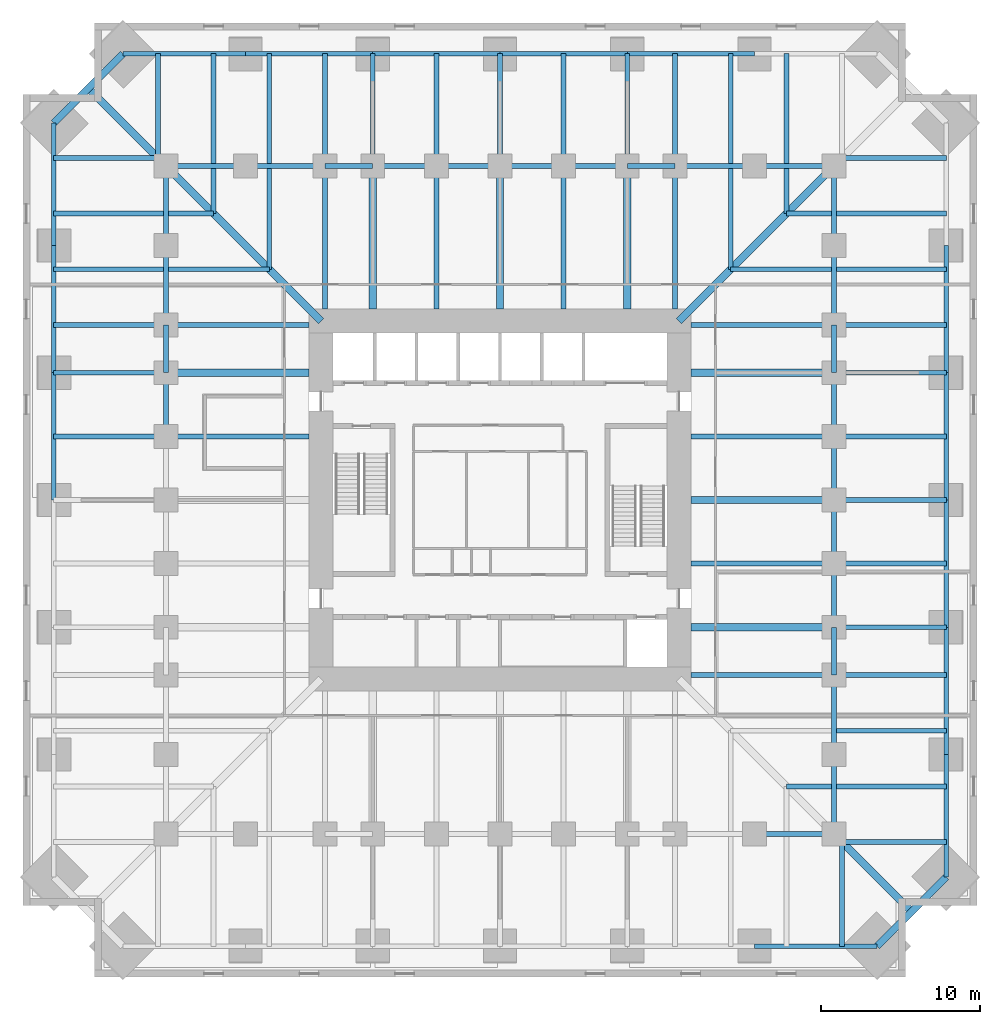
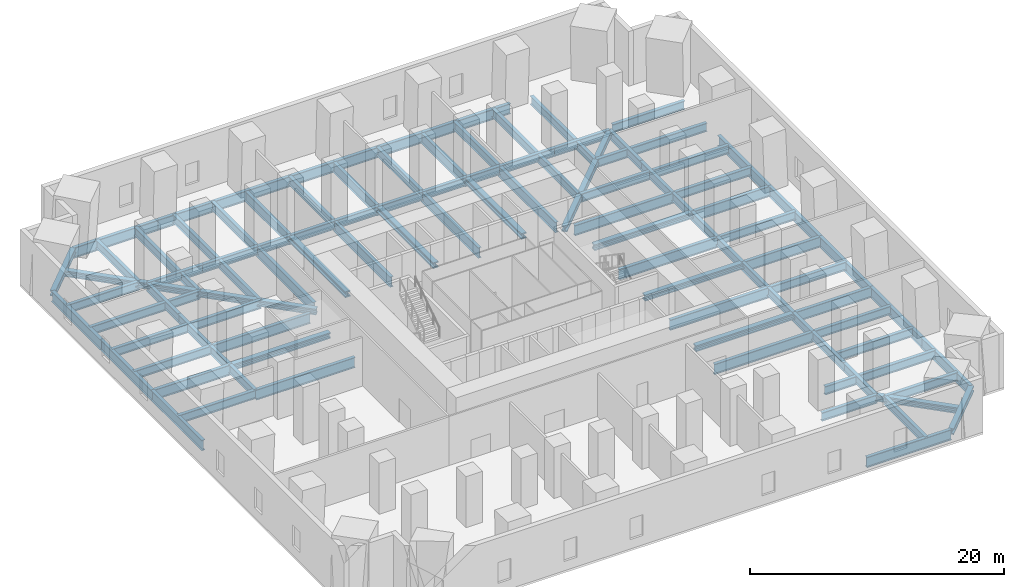
# One storey, part 2 of 8: 103 beams.
"""IFC4 building model written with IfcOpenShell, lengths in metres."""

from ifc_helpers import new_model, si_unit, direction, frame, origin, origin_2d, place, context, subcontext, project, spatial, i_section, extrude, material, material_profile, profile_set, type_object, element, save


model = new_model("IFC4")

# Units and contexts
model_context = context("Model", 3, precision=1e-05, world=origin(), true_north=direction((0.0, 1.0)))
body_context = subcontext(model_context, "Body", "Model", "MODEL_VIEW")
ifc_project = project(units=[si_unit("LENGTHUNIT", "METRE"), si_unit("AREAUNIT", "SQUARE_METRE"), si_unit("VOLUMEUNIT", "CUBIC_METRE"), si_unit("PLANEANGLEUNIT", "RADIAN"), si_unit("MASSUNIT", "GRAM", prefix="KILO")], contexts=[model_context])

# Site, building, storey
site_placement = place(None, origin())
site = spatial("IfcSite", under=ifc_project, at=site_placement, CompositionType="ELEMENT")
building_placement = place(site_placement, origin())
building = spatial("IfcBuilding", under=site, at=building_placement, Name="Peilmerk Tower", CompositionType="ELEMENT")
storey_placement = place(building_placement, frame((0.0, 0.0, 70.5)))
storey = spatial("IfcBuildingStorey", under=building, at=storey_placement, Name="L13", CompositionType="ELEMENT", Elevation=70.5)

# Beams
ifc_material_1 = material(Name="Steel S355", Category="steel")
ifc_material_profile_1 = material_profile(ifc_material_1, i_section(OverallWidth=0.302001953125, OverallDepth=1.008056640625, WebThickness=0.02099609375, FlangeThickness=0.0400390625, at=origin_2d()), Name="HEM 1000")
ifc_profile_set_1 = profile_set([ifc_material_profile_1], Name="Steel S355")
beam_type_1 = type_object("IfcBeamType", Name="B1 HEM 1000 edge beam", PredefinedType="SPANDREL", material=ifc_profile_set_1)
for number, where, z_axis, x_axis, name in (
    (1, (-16.0, 28.053955078125, -0.7041015625), (-1.0, 0.0, 0.0), (0.0, -1.0, 0.0), "Edge beam L13"),
    (2, (28.053955078125, -23.7041015625, -0.7041015625), (0.0, 1.0, 0.0), (-1.0, 0.0, 0.0), "Edge beam L13"),
    (3, (16.0, -28.053955078125, -0.7041015625), (1.0, 0.0, 0.0), (0.0, 1.0, 0.0), "Edge beam L13"),
    (4, (-28.053955078125, 23.7041015625, -0.7041015625), (0.0, -1.0, 0.0), (1.0, 0.0, 0.0), "Edge beam L13"),
):
    element("IfcBeam", number, at=place(storey_placement, frame(where, z_axis=z_axis, x_axis=x_axis)), inside=storey, type_object=beam_type_1, Name=name, PredefinedType="SPANDREL", context=body_context, shape_type="SweptSolid", body=[
        extrude(i_section(OverallWidth=0.302001953125, OverallDepth=1.008056640625, WebThickness=0.02099609375, FlangeThickness=0.0400390625, at=origin_2d()), origin(), (0.0, 0.0, 1.0), 7.7041015625),
    ])
ifc_material_profile_2 = material_profile(ifc_material_1, i_section(OverallWidth=0.300048828125, OverallDepth=1.0, WebThickness=0.01904296875, FlangeThickness=0.035888671875, at=origin_2d()), Name="HEB 1000")
ifc_profile_set_2 = profile_set([ifc_material_profile_2], Name="Steel S355")
beam_type_2 = type_object("IfcBeamType", Name="B13 HEB 1000 edge beam", PredefinedType="SPANDREL", material=ifc_profile_set_2)
for number, where, z_axis, x_axis, name in (
    (5, (16.0, 28.053955078125, -0.699951171875), (-1.0, 0.0, 0.0), (0.0, -1.0, 0.0), "Edge beam L13"),
    (6, (8.0, 28.053955078125, -0.699951171875), (-1.0, 0.0, 0.0), (0.0, -1.0, 0.0), "Edge beam L13"),
    (7, (0.0, 28.053955078125, -0.699951171875), (-1.0, 0.0, 0.0), (0.0, -1.0, 0.0), "Edge beam L13"),
    (8, (-8.0, 28.053955078125, -0.699951171875), (-1.0, 0.0, 0.0), (0.0, -1.0, 0.0), "Edge beam L13"),
    (9, (28.053955078125, -16.0, -0.699951171875), (0.0, 1.0, 0.0), (-1.0, 0.0, 0.0), "Edge beam L13"),
    (10, (28.053955078125, -8.0, -0.699951171875), (0.0, 1.0, 0.0), (-1.0, 0.0, 0.0), "Edge beam L13"),
    (11, (28.053955078125, 0.0, -0.699951171875), (0.0, 1.0, 0.0), (-1.0, 0.0, 0.0), "Edge beam L13"),
    (12, (28.053955078125, 8.0, -0.699951171875), (0.0, 1.0, 0.0), (-1.0, 0.0, 0.0), "Edge beam L13"),
    (13, (-28.053955078125, 16.0, -0.699951171875), (0.0, -1.0, 0.0), (1.0, 0.0, 0.0), "Edge beam L13"),
    (14, (-28.053955078125, 8.0, -0.699951171875), (0.0, -1.0, 0.0), (1.0, 0.0, 0.0), "Edge beam L13"),
):
    element("IfcBeam", number, at=place(storey_placement, frame(where, z_axis=z_axis, x_axis=x_axis)), inside=storey, type_object=beam_type_2, Name=name, PredefinedType="SPANDREL", context=body_context, shape_type="SweptSolid", body=[
        extrude(i_section(OverallWidth=0.300048828125, OverallDepth=1.0, WebThickness=0.01904296875, FlangeThickness=0.035888671875, at=origin_2d()), origin(), (0.0, 0.0, 1.0), 8.0),
    ])
ifc_material_profile_3 = material_profile(ifc_material_1, i_section(OverallWidth=0.300048828125, OverallDepth=0.989990234375, WebThickness=0.0166015625, FlangeThickness=0.031005859375, at=origin_2d()), Name="HEA 1000")
ifc_profile_set_3 = profile_set([ifc_material_profile_3], Name="Steel S355")
beam_type_3 = type_object("IfcBeamType", Name="B14 HEA 1000 floor girder", PredefinedType="BEAM", material=ifc_profile_set_3)
for number, where, z_axis, x_axis, name in (
    (15, (8.0, 21.0, -0.695068359375), (0.0, 1.0, 0.0), (-1.0, 0.0, 0.0), "Floor girder L13"),
    (16, (0.0, 21.0, -0.695068359375), (0.0, 1.0, 0.0), (-1.0, 0.0, 0.0), "Floor girder L13"),
    (17, (-8.0, 21.0, -0.695068359375), (0.0, 1.0, 0.0), (-1.0, 0.0, 0.0), "Floor girder L13"),
    (18, (21.0, -8.0, -0.695068359375), (1.0, 0.0, 0.0), (0.0, 1.0, 0.0), "Floor girder L13"),
    (19, (21.0, 0.0, -0.695068359375), (1.0, 0.0, 0.0), (0.0, 1.0, 0.0), "Floor girder L13"),
    (20, (21.0, 8.0, -0.695068359375), (1.0, 0.0, 0.0), (0.0, 1.0, 0.0), "Floor girder L13"),
    (21, (-21.0, 8.0, -0.695068359375), (-1.0, 0.0, 0.0), (0.0, -1.0, 0.0), "Floor girder L13"),
):
    element("IfcBeam", number, at=place(storey_placement, frame(where, z_axis=z_axis, x_axis=x_axis)), inside=storey, type_object=beam_type_3, Name=name, PredefinedType="BEAM", context=body_context, shape_type="SweptSolid", body=[
        extrude(i_section(OverallWidth=0.300048828125, OverallDepth=0.989990234375, WebThickness=0.0166015625, FlangeThickness=0.031005859375, at=origin_2d()), origin(), (0.0, 0.0, 1.0), 7.053955078125),
    ])
ifc_material_2 = material(Name="Steel S460", Category="steel")
ifc_material_profile_4 = material_profile(ifc_material_2, i_section(OverallWidth=0.4541015625, OverallDepth=0.569091796875, WebThickness=0.077880859375, FlangeThickness=0.125, at=origin_2d()), Name="HD 400x1086")
ifc_profile_set_4 = profile_set([ifc_material_profile_4], Name="Steel S460")
beam_type_4 = type_object("IfcBeamType", Name="B17 HD 400x1086 edge beam", PredefinedType="SPANDREL", material=ifc_profile_set_4)
for number, where, z_axis, x_axis, name in (
    (22, (28.053955078125, -23.7041015625, -0.484619140625), (-0.707106781187, -0.707106781187, 0.0), (0.707106781187, -0.707106781187, 0.0), "Notch beam L13"),
    (23, (-28.053955078125, 23.7041015625, -0.484619140625), (0.707106781187, 0.707106781187, 0.0), (-0.707106781187, 0.707106781187, 0.0), "Notch beam L13"),
):
    element("IfcBeam", number, at=place(storey_placement, frame(where, z_axis=z_axis, x_axis=x_axis)), inside=storey, type_object=beam_type_4, Name=name, PredefinedType="SPANDREL", context=body_context, shape_type="SweptSolid", body=[
        extrude(i_section(OverallWidth=0.4541015625, OverallDepth=0.569091796875, WebThickness=0.077880859375, FlangeThickness=0.125, at=origin_2d()), origin(), (0.0, 0.0, 1.0), 6.151611328125),
    ])
ifc_material_profile_5 = material_profile(ifc_material_1, i_section(OverallWidth=0.4541015625, OverallDepth=0.569091796875, WebThickness=0.077880859375, FlangeThickness=0.125, at=origin_2d()), Name="HD 400x1086")
ifc_profile_set_5 = profile_set([ifc_material_profile_5], Name="Steel S355")
beam_type_5 = type_object("IfcBeamType", Name="B22 HD 400x1086 floor girder", PredefinedType="BEAM", material=ifc_profile_set_5)
for number, where, z_axis, x_axis, name in (
    (24, (21.0, -21.0, -0.484619140625), (0.707106781187, -0.707106781187, 0.0), (0.707106781187, 0.707106781187, 0.0), "Corner girder L13"),
    (25, (-21.0, 21.0, -0.484619140625), (-0.707106781187, 0.707106781187, 0.0), (-0.707106781187, -0.707106781187, 0.0), "Corner girder L13"),
):
    element("IfcBeam", number, at=place(storey_placement, frame(where, z_axis=z_axis, x_axis=x_axis)), inside=storey, type_object=beam_type_5, Name=name, PredefinedType="BEAM", context=body_context, shape_type="SweptSolid", body=[
        extrude(i_section(OverallWidth=0.4541015625, OverallDepth=0.569091796875, WebThickness=0.077880859375, FlangeThickness=0.125, at=origin_2d()), origin(), (0.0, 0.0, 1.0), 6.900146484375),
    ])
ifc_material_profile_6 = material_profile(ifc_material_2, i_section(OverallWidth=0.302978515625, OverallDepth=0.81396484375, WebThickness=0.02099609375, FlangeThickness=0.0400390625, at=origin_2d()), Name="HEM 800")
ifc_profile_set_6 = profile_set([ifc_material_profile_6], Name="Steel S460")
beam_type_6 = type_object("IfcBeamType", Name="B26 HEM 800 floor beam", PredefinedType="BEAM", material=ifc_profile_set_6)
for number, where, z_axis, x_axis, name in (
    (26, (11.0, 21.0, -0.60693359375), (0.0, 1.0, 0.0), (-1.0, 0.0, 0.0), "Floor beam L13"),
    (27, (4.0, 21.0, -0.60693359375), (0.0, 1.0, 0.0), (-1.0, 0.0, 0.0), "Floor beam L13"),
    (28, (-4.0, 21.0, -0.60693359375), (0.0, 1.0, 0.0), (-1.0, 0.0, 0.0), "Floor beam L13"),
    (29, (-11.0, 21.0, -0.60693359375), (0.0, 1.0, 0.0), (-1.0, 0.0, 0.0), "Floor beam L13"),
):
    element("IfcBeam", number, at=place(storey_placement, frame(where, z_axis=z_axis, x_axis=x_axis)), inside=storey, type_object=beam_type_6, Name=name, PredefinedType="BEAM", context=body_context, shape_type="SweptSolid", body=[
        extrude(i_section(OverallWidth=0.302978515625, OverallDepth=0.81396484375, WebThickness=0.02099609375, FlangeThickness=0.0400390625, at=origin_2d()), origin(), (0.0, 0.0, 1.0), 7.053955078125),
    ])
for number, where, z_axis, x_axis, name in (
    (30, (21.0, 21.0, -0.60693359375), (-1.0, 0.0, 0.0), (0.0, -1.0, 0.0), "Ring girder L13"),
    (31, (16.0, 21.0, -0.60693359375), (-1.0, 0.0, 0.0), (0.0, -1.0, 0.0), "Ring girder L13"),
):
    element("IfcBeam", number, at=place(storey_placement, frame(where, z_axis=z_axis, x_axis=x_axis)), inside=storey, type_object=beam_type_6, Name=name, PredefinedType="BEAM", context=body_context, shape_type="SweptSolid", body=[
        extrude(i_section(OverallWidth=0.302978515625, OverallDepth=0.81396484375, WebThickness=0.02099609375, FlangeThickness=0.0400390625, at=origin_2d()), origin(), (0.0, 0.0, 1.0), 5.0),
    ])
beam_1_placement = place(storey_placement, frame((11.0, 21.0, -0.60693359375), z_axis=(-1.0, 0.0, 0.0), x_axis=(0.0, -1.0, 0.0)))
element("IfcBeam", 32, at=beam_1_placement, inside=storey, type_object=beam_type_6, Name="Ring girder L13", PredefinedType="BEAM", context=body_context, shape_type="SweptSolid", body=[
    extrude(i_section(OverallWidth=0.302978515625, OverallDepth=0.81396484375, WebThickness=0.02099609375, FlangeThickness=0.0400390625, at=origin_2d()), origin(), (0.0, 0.0, 1.0), 3.0),
])
for number, where, z_axis, x_axis, name in (
    (33, (8.0, 21.0, -0.60693359375), (-1.0, 0.0, 0.0), (0.0, -1.0, 0.0), "Ring girder L13"),
    (34, (4.0, 21.0, -0.60693359375), (-1.0, 0.0, 0.0), (0.0, -1.0, 0.0), "Ring girder L13"),
    (35, (0.0, 21.0, -0.60693359375), (-1.0, 0.0, 0.0), (0.0, -1.0, 0.0), "Ring girder L13"),
    (36, (-4.0, 21.0, -0.60693359375), (-1.0, 0.0, 0.0), (0.0, -1.0, 0.0), "Ring girder L13"),
):
    element("IfcBeam", number, at=place(storey_placement, frame(where, z_axis=z_axis, x_axis=x_axis)), inside=storey, type_object=beam_type_6, Name=name, PredefinedType="BEAM", context=body_context, shape_type="SweptSolid", body=[
        extrude(i_section(OverallWidth=0.302978515625, OverallDepth=0.81396484375, WebThickness=0.02099609375, FlangeThickness=0.0400390625, at=origin_2d()), origin(), (0.0, 0.0, 1.0), 4.0),
    ])
beam_2_placement = place(storey_placement, frame((-8.0, 21.0, -0.60693359375), z_axis=(-1.0, 0.0, 0.0), x_axis=(0.0, -1.0, 0.0)))
element("IfcBeam", 37, at=beam_2_placement, inside=storey, type_object=beam_type_6, Name="Ring girder L13", PredefinedType="BEAM", context=body_context, shape_type="SweptSolid", body=[
    extrude(i_section(OverallWidth=0.302978515625, OverallDepth=0.81396484375, WebThickness=0.02099609375, FlangeThickness=0.0400390625, at=origin_2d()), origin(), (0.0, 0.0, 1.0), 3.0),
])
for number, where, z_axis, x_axis, name in (
    (38, (-11.0, 21.0, -0.60693359375), (-1.0, 0.0, 0.0), (0.0, -1.0, 0.0), "Ring girder L13"),
    (39, (-16.0, 21.0, -0.60693359375), (-1.0, 0.0, 0.0), (0.0, -1.0, 0.0), "Ring girder L13"),
):
    element("IfcBeam", number, at=place(storey_placement, frame(where, z_axis=z_axis, x_axis=x_axis)), inside=storey, type_object=beam_type_6, Name=name, PredefinedType="BEAM", context=body_context, shape_type="SweptSolid", body=[
        extrude(i_section(OverallWidth=0.302978515625, OverallDepth=0.81396484375, WebThickness=0.02099609375, FlangeThickness=0.0400390625, at=origin_2d()), origin(), (0.0, 0.0, 1.0), 5.0),
    ])
for number, where, z_axis, x_axis, name in (
    (40, (21.0, -11.0, -0.60693359375), (1.0, 0.0, 0.0), (0.0, 1.0, 0.0), "Floor beam L13"),
    (41, (21.0, -4.0, -0.60693359375), (1.0, 0.0, 0.0), (0.0, 1.0, 0.0), "Floor beam L13"),
    (42, (21.0, 4.0, -0.60693359375), (1.0, 0.0, 0.0), (0.0, 1.0, 0.0), "Floor beam L13"),
    (43, (21.0, 11.0, -0.60693359375), (1.0, 0.0, 0.0), (0.0, 1.0, 0.0), "Floor beam L13"),
):
    element("IfcBeam", number, at=place(storey_placement, frame(where, z_axis=z_axis, x_axis=x_axis)), inside=storey, type_object=beam_type_6, Name=name, PredefinedType="BEAM", context=body_context, shape_type="SweptSolid", body=[
        extrude(i_section(OverallWidth=0.302978515625, OverallDepth=0.81396484375, WebThickness=0.02099609375, FlangeThickness=0.0400390625, at=origin_2d()), origin(), (0.0, 0.0, 1.0), 7.053955078125),
    ])
for number, where, z_axis, x_axis, name in (
    (44, (21.0, -21.0, -0.60693359375), (0.0, 1.0, 0.0), (-1.0, 0.0, 0.0), "Ring girder L13"),
    (45, (21.0, -16.0, -0.60693359375), (0.0, 1.0, 0.0), (-1.0, 0.0, 0.0), "Ring girder L13"),
):
    element("IfcBeam", number, at=place(storey_placement, frame(where, z_axis=z_axis, x_axis=x_axis)), inside=storey, type_object=beam_type_6, Name=name, PredefinedType="BEAM", context=body_context, shape_type="SweptSolid", body=[
        extrude(i_section(OverallWidth=0.302978515625, OverallDepth=0.81396484375, WebThickness=0.02099609375, FlangeThickness=0.0400390625, at=origin_2d()), origin(), (0.0, 0.0, 1.0), 5.0),
    ])
beam_3_placement = place(storey_placement, frame((21.0, -11.0, -0.60693359375), z_axis=(0.0, 1.0, 0.0), x_axis=(-1.0, 0.0, 0.0)))
element("IfcBeam", 46, at=beam_3_placement, inside=storey, type_object=beam_type_6, Name="Ring girder L13", PredefinedType="BEAM", context=body_context, shape_type="SweptSolid", body=[
    extrude(i_section(OverallWidth=0.302978515625, OverallDepth=0.81396484375, WebThickness=0.02099609375, FlangeThickness=0.0400390625, at=origin_2d()), origin(), (0.0, 0.0, 1.0), 3.0),
])
for number, where, z_axis, x_axis, name in (
    (47, (21.0, -8.0, -0.60693359375), (0.0, 1.0, 0.0), (-1.0, 0.0, 0.0), "Ring girder L13"),
    (48, (21.0, -4.0, -0.60693359375), (0.0, 1.0, 0.0), (-1.0, 0.0, 0.0), "Ring girder L13"),
    (49, (21.0, 0.0, -0.60693359375), (0.0, 1.0, 0.0), (-1.0, 0.0, 0.0), "Ring girder L13"),
    (50, (21.0, 4.0, -0.60693359375), (0.0, 1.0, 0.0), (-1.0, 0.0, 0.0), "Ring girder L13"),
):
    element("IfcBeam", number, at=place(storey_placement, frame(where, z_axis=z_axis, x_axis=x_axis)), inside=storey, type_object=beam_type_6, Name=name, PredefinedType="BEAM", context=body_context, shape_type="SweptSolid", body=[
        extrude(i_section(OverallWidth=0.302978515625, OverallDepth=0.81396484375, WebThickness=0.02099609375, FlangeThickness=0.0400390625, at=origin_2d()), origin(), (0.0, 0.0, 1.0), 4.0),
    ])
beam_4_placement = place(storey_placement, frame((21.0, 8.0, -0.60693359375), z_axis=(0.0, 1.0, 0.0), x_axis=(-1.0, 0.0, 0.0)))
element("IfcBeam", 51, at=beam_4_placement, inside=storey, type_object=beam_type_6, Name="Ring girder L13", PredefinedType="BEAM", context=body_context, shape_type="SweptSolid", body=[
    extrude(i_section(OverallWidth=0.302978515625, OverallDepth=0.81396484375, WebThickness=0.02099609375, FlangeThickness=0.0400390625, at=origin_2d()), origin(), (0.0, 0.0, 1.0), 3.0),
])
for number, where, z_axis, x_axis, name in (
    (52, (21.0, 11.0, -0.60693359375), (0.0, 1.0, 0.0), (-1.0, 0.0, 0.0), "Ring girder L13"),
    (53, (21.0, 16.0, -0.60693359375), (0.0, 1.0, 0.0), (-1.0, 0.0, 0.0), "Ring girder L13"),
    (54, (16.0, -21.0, -0.60693359375), (1.0, 0.0, 0.0), (0.0, 1.0, 0.0), "Ring girder L13"),
):
    element("IfcBeam", number, at=place(storey_placement, frame(where, z_axis=z_axis, x_axis=x_axis)), inside=storey, type_object=beam_type_6, Name=name, PredefinedType="BEAM", context=body_context, shape_type="SweptSolid", body=[
        extrude(i_section(OverallWidth=0.302978515625, OverallDepth=0.81396484375, WebThickness=0.02099609375, FlangeThickness=0.0400390625, at=origin_2d()), origin(), (0.0, 0.0, 1.0), 5.0),
    ])
for number, where, z_axis, x_axis, name in (
    (55, (-21.0, 11.0, -0.60693359375), (-1.0, 0.0, 0.0), (0.0, -1.0, 0.0), "Floor beam L13"),
    (56, (-21.0, 4.0, -0.60693359375), (-1.0, 0.0, 0.0), (0.0, -1.0, 0.0), "Floor beam L13"),
):
    element("IfcBeam", number, at=place(storey_placement, frame(where, z_axis=z_axis, x_axis=x_axis)), inside=storey, type_object=beam_type_6, Name=name, PredefinedType="BEAM", context=body_context, shape_type="SweptSolid", body=[
        extrude(i_section(OverallWidth=0.302978515625, OverallDepth=0.81396484375, WebThickness=0.02099609375, FlangeThickness=0.0400390625, at=origin_2d()), origin(), (0.0, 0.0, 1.0), 7.053955078125),
    ])
for number, where, z_axis, x_axis, name in (
    (57, (-21.0, 21.0, -0.60693359375), (0.0, -1.0, 0.0), (1.0, 0.0, 0.0), "Ring girder L13"),
    (58, (-21.0, 16.0, -0.60693359375), (0.0, -1.0, 0.0), (1.0, 0.0, 0.0), "Ring girder L13"),
):
    element("IfcBeam", number, at=place(storey_placement, frame(where, z_axis=z_axis, x_axis=x_axis)), inside=storey, type_object=beam_type_6, Name=name, PredefinedType="BEAM", context=body_context, shape_type="SweptSolid", body=[
        extrude(i_section(OverallWidth=0.302978515625, OverallDepth=0.81396484375, WebThickness=0.02099609375, FlangeThickness=0.0400390625, at=origin_2d()), origin(), (0.0, 0.0, 1.0), 5.0),
    ])
beam_5_placement = place(storey_placement, frame((-21.0, 11.0, -0.60693359375), z_axis=(0.0, -1.0, 0.0), x_axis=(1.0, 0.0, 0.0)))
element("IfcBeam", 59, at=beam_5_placement, inside=storey, type_object=beam_type_6, Name="Ring girder L13", PredefinedType="BEAM", context=body_context, shape_type="SweptSolid", body=[
    extrude(i_section(OverallWidth=0.302978515625, OverallDepth=0.81396484375, WebThickness=0.02099609375, FlangeThickness=0.0400390625, at=origin_2d()), origin(), (0.0, 0.0, 1.0), 3.0),
])
beam_6_placement = place(storey_placement, frame((-21.0, 8.0, -0.60693359375), z_axis=(0.0, -1.0, 0.0), x_axis=(1.0, 0.0, 0.0)))
element("IfcBeam", 60, at=beam_6_placement, inside=storey, type_object=beam_type_6, Name="Ring girder L13", PredefinedType="BEAM", context=body_context, shape_type="SweptSolid", body=[
    extrude(i_section(OverallWidth=0.302978515625, OverallDepth=0.81396484375, WebThickness=0.02099609375, FlangeThickness=0.0400390625, at=origin_2d()), origin(), (0.0, 0.0, 1.0), 4.0),
])
beam_7_placement = place(storey_placement, frame((14.5, 14.5, -0.60693359375), z_axis=(0.0, 1.0, 0.0), x_axis=(-1.0, 0.0, 0.0)))
element("IfcBeam", 61, at=beam_7_placement, inside=storey, type_object=beam_type_6, Name="Floor beam L13", PredefinedType="BEAM", context=body_context, shape_type="SweptSolid", body=[
    extrude(i_section(OverallWidth=0.302978515625, OverallDepth=0.81396484375, WebThickness=0.02099609375, FlangeThickness=0.0400390625, at=origin_2d()), origin(), (0.0, 0.0, 1.0), 6.348388671875),
])
beam_8_placement = place(storey_placement, frame((14.5, 21.151611328125, -0.60693359375), z_axis=(0.0, 1.0, 0.0), x_axis=(-1.0, 0.0, 0.0)))
element("IfcBeam", 62, at=beam_8_placement, inside=storey, type_object=beam_type_6, Name="Floor beam L13", PredefinedType="BEAM", context=body_context, shape_type="SweptSolid", body=[
    extrude(i_section(OverallWidth=0.302978515625, OverallDepth=0.81396484375, WebThickness=0.02099609375, FlangeThickness=0.0400390625, at=origin_2d()), origin(), (0.0, 0.0, 1.0), 6.90234375),
])
beam_9_placement = place(storey_placement, frame((14.5, 14.5, -0.60693359375), z_axis=(1.0, 0.0, 0.0), x_axis=(0.0, 1.0, 0.0)))
element("IfcBeam", 63, at=beam_9_placement, inside=storey, type_object=beam_type_6, Name="Floor beam L13", PredefinedType="BEAM", context=body_context, shape_type="SweptSolid", body=[
    extrude(i_section(OverallWidth=0.302978515625, OverallDepth=0.81396484375, WebThickness=0.02099609375, FlangeThickness=0.0400390625, at=origin_2d()), origin(), (0.0, 0.0, 1.0), 6.348388671875),
])
beam_10_placement = place(storey_placement, frame((21.151611328125, 14.5, -0.60693359375), z_axis=(1.0, 0.0, 0.0), x_axis=(0.0, 1.0, 0.0)))
element("IfcBeam", 64, at=beam_10_placement, inside=storey, type_object=beam_type_6, Name="Floor beam L13", PredefinedType="BEAM", context=body_context, shape_type="SweptSolid", body=[
    extrude(i_section(OverallWidth=0.302978515625, OverallDepth=0.81396484375, WebThickness=0.02099609375, FlangeThickness=0.0400390625, at=origin_2d()), origin(), (0.0, 0.0, 1.0), 6.90234375),
])
beam_11_placement = place(storey_placement, frame((18.0, 18.0, -0.60693359375), z_axis=(0.0, 1.0, 0.0), x_axis=(-1.0, 0.0, 0.0)))
element("IfcBeam", 65, at=beam_11_placement, inside=storey, type_object=beam_type_6, Name="Floor beam L13", PredefinedType="BEAM", context=body_context, shape_type="SweptSolid", body=[
    extrude(i_section(OverallWidth=0.302978515625, OverallDepth=0.81396484375, WebThickness=0.02099609375, FlangeThickness=0.0400390625, at=origin_2d()), origin(), (0.0, 0.0, 1.0), 2.848388671875),
])
beam_12_placement = place(storey_placement, frame((18.0, 21.151611328125, -0.60693359375), z_axis=(0.0, 1.0, 0.0), x_axis=(-1.0, 0.0, 0.0)))
element("IfcBeam", 66, at=beam_12_placement, inside=storey, type_object=beam_type_6, Name="Floor beam L13", PredefinedType="BEAM", context=body_context, shape_type="SweptSolid", body=[
    extrude(i_section(OverallWidth=0.302978515625, OverallDepth=0.81396484375, WebThickness=0.02099609375, FlangeThickness=0.0400390625, at=origin_2d()), origin(), (0.0, 0.0, 1.0), 6.90234375),
])
beam_13_placement = place(storey_placement, frame((18.0, 18.0, -0.60693359375), z_axis=(1.0, 0.0, 0.0), x_axis=(0.0, 1.0, 0.0)))
element("IfcBeam", 67, at=beam_13_placement, inside=storey, type_object=beam_type_6, Name="Floor beam L13", PredefinedType="BEAM", context=body_context, shape_type="SweptSolid", body=[
    extrude(i_section(OverallWidth=0.302978515625, OverallDepth=0.81396484375, WebThickness=0.02099609375, FlangeThickness=0.0400390625, at=origin_2d()), origin(), (0.0, 0.0, 1.0), 2.848388671875),
])
beam_14_placement = place(storey_placement, frame((21.151611328125, 18.0, -0.60693359375), z_axis=(1.0, 0.0, 0.0), x_axis=(0.0, 1.0, 0.0)))
element("IfcBeam", 68, at=beam_14_placement, inside=storey, type_object=beam_type_6, Name="Floor beam L13", PredefinedType="BEAM", context=body_context, shape_type="SweptSolid", body=[
    extrude(i_section(OverallWidth=0.302978515625, OverallDepth=0.81396484375, WebThickness=0.02099609375, FlangeThickness=0.0400390625, at=origin_2d()), origin(), (0.0, 0.0, 1.0), 6.90234375),
])
beam_15_placement = place(storey_placement, frame((21.5, 21.5, -0.60693359375), z_axis=(1.0, 0.0, 0.0), x_axis=(0.0, 1.0, 0.0)))
element("IfcBeam", 69, at=beam_15_placement, inside=storey, type_object=beam_type_6, Name="Floor beam L13", PredefinedType="BEAM", context=body_context, shape_type="SweptSolid", body=[
    extrude(i_section(OverallWidth=0.302978515625, OverallDepth=0.81396484375, WebThickness=0.02099609375, FlangeThickness=0.0400390625, at=origin_2d()), origin(), (0.0, 0.0, 1.0), 6.553955078125),
])
beam_16_placement = place(storey_placement, frame((21.151611328125, -14.5, -0.60693359375), z_axis=(1.0, 0.0, 0.0), x_axis=(0.0, 1.0, 0.0)))
element("IfcBeam", 70, at=beam_16_placement, inside=storey, type_object=beam_type_6, Name="Floor beam L13", PredefinedType="BEAM", context=body_context, shape_type="SweptSolid", body=[
    extrude(i_section(OverallWidth=0.302978515625, OverallDepth=0.81396484375, WebThickness=0.02099609375, FlangeThickness=0.0400390625, at=origin_2d()), origin(), (0.0, 0.0, 1.0), 6.90234375),
])
beam_17_placement = place(storey_placement, frame((18.0, -18.0, -0.60693359375), z_axis=(1.0, 0.0, 0.0), x_axis=(0.0, 1.0, 0.0)))
element("IfcBeam", 71, at=beam_17_placement, inside=storey, type_object=beam_type_6, Name="Floor beam L13", PredefinedType="BEAM", context=body_context, shape_type="SweptSolid", body=[
    extrude(i_section(OverallWidth=0.302978515625, OverallDepth=0.81396484375, WebThickness=0.02099609375, FlangeThickness=0.0400390625, at=origin_2d()), origin(), (0.0, 0.0, 1.0), 2.848388671875),
])
beam_18_placement = place(storey_placement, frame((21.151611328125, -18.0, -0.60693359375), z_axis=(1.0, 0.0, 0.0), x_axis=(0.0, 1.0, 0.0)))
element("IfcBeam", 72, at=beam_18_placement, inside=storey, type_object=beam_type_6, Name="Floor beam L13", PredefinedType="BEAM", context=body_context, shape_type="SweptSolid", body=[
    extrude(i_section(OverallWidth=0.302978515625, OverallDepth=0.81396484375, WebThickness=0.02099609375, FlangeThickness=0.0400390625, at=origin_2d()), origin(), (0.0, 0.0, 1.0), 6.90234375),
])
for number, where, z_axis, x_axis, name in (
    (73, (21.5, -21.5, -0.60693359375), (0.0, -1.0, 0.0), (1.0, 0.0, 0.0), "Floor beam L13"),
    (74, (21.5, -21.5, -0.60693359375), (1.0, 0.0, 0.0), (0.0, 1.0, 0.0), "Floor beam L13"),
):
    element("IfcBeam", number, at=place(storey_placement, frame(where, z_axis=z_axis, x_axis=x_axis)), inside=storey, type_object=beam_type_6, Name=name, PredefinedType="BEAM", context=body_context, shape_type="SweptSolid", body=[
        extrude(i_section(OverallWidth=0.302978515625, OverallDepth=0.81396484375, WebThickness=0.02099609375, FlangeThickness=0.0400390625, at=origin_2d()), origin(), (0.0, 0.0, 1.0), 6.553955078125),
    ])
beam_19_placement = place(storey_placement, frame((-14.5, 14.5, -0.60693359375), z_axis=(0.0, 1.0, 0.0), x_axis=(-1.0, 0.0, 0.0)))
element("IfcBeam", 75, at=beam_19_placement, inside=storey, type_object=beam_type_6, Name="Floor beam L13", PredefinedType="BEAM", context=body_context, shape_type="SweptSolid", body=[
    extrude(i_section(OverallWidth=0.302978515625, OverallDepth=0.81396484375, WebThickness=0.02099609375, FlangeThickness=0.0400390625, at=origin_2d()), origin(), (0.0, 0.0, 1.0), 6.348388671875),
])
beam_20_placement = place(storey_placement, frame((-14.5, 21.151611328125, -0.60693359375), z_axis=(0.0, 1.0, 0.0), x_axis=(-1.0, 0.0, 0.0)))
element("IfcBeam", 76, at=beam_20_placement, inside=storey, type_object=beam_type_6, Name="Floor beam L13", PredefinedType="BEAM", context=body_context, shape_type="SweptSolid", body=[
    extrude(i_section(OverallWidth=0.302978515625, OverallDepth=0.81396484375, WebThickness=0.02099609375, FlangeThickness=0.0400390625, at=origin_2d()), origin(), (0.0, 0.0, 1.0), 6.90234375),
])
beam_21_placement = place(storey_placement, frame((-14.5, 14.5, -0.60693359375), z_axis=(-1.0, 0.0, 0.0), x_axis=(0.0, -1.0, 0.0)))
element("IfcBeam", 77, at=beam_21_placement, inside=storey, type_object=beam_type_6, Name="Floor beam L13", PredefinedType="BEAM", context=body_context, shape_type="SweptSolid", body=[
    extrude(i_section(OverallWidth=0.302978515625, OverallDepth=0.81396484375, WebThickness=0.02099609375, FlangeThickness=0.0400390625, at=origin_2d()), origin(), (0.0, 0.0, 1.0), 6.348388671875),
])
beam_22_placement = place(storey_placement, frame((-21.151611328125, 14.5, -0.60693359375), z_axis=(-1.0, 0.0, 0.0), x_axis=(0.0, -1.0, 0.0)))
element("IfcBeam", 78, at=beam_22_placement, inside=storey, type_object=beam_type_6, Name="Floor beam L13", PredefinedType="BEAM", context=body_context, shape_type="SweptSolid", body=[
    extrude(i_section(OverallWidth=0.302978515625, OverallDepth=0.81396484375, WebThickness=0.02099609375, FlangeThickness=0.0400390625, at=origin_2d()), origin(), (0.0, 0.0, 1.0), 6.90234375),
])
beam_23_placement = place(storey_placement, frame((-18.0, 18.0, -0.60693359375), z_axis=(0.0, 1.0, 0.0), x_axis=(-1.0, 0.0, 0.0)))
element("IfcBeam", 79, at=beam_23_placement, inside=storey, type_object=beam_type_6, Name="Floor beam L13", PredefinedType="BEAM", context=body_context, shape_type="SweptSolid", body=[
    extrude(i_section(OverallWidth=0.302978515625, OverallDepth=0.81396484375, WebThickness=0.02099609375, FlangeThickness=0.0400390625, at=origin_2d()), origin(), (0.0, 0.0, 1.0), 2.848388671875),
])
beam_24_placement = place(storey_placement, frame((-18.0, 21.151611328125, -0.60693359375), z_axis=(0.0, 1.0, 0.0), x_axis=(-1.0, 0.0, 0.0)))
element("IfcBeam", 80, at=beam_24_placement, inside=storey, type_object=beam_type_6, Name="Floor beam L13", PredefinedType="BEAM", context=body_context, shape_type="SweptSolid", body=[
    extrude(i_section(OverallWidth=0.302978515625, OverallDepth=0.81396484375, WebThickness=0.02099609375, FlangeThickness=0.0400390625, at=origin_2d()), origin(), (0.0, 0.0, 1.0), 6.90234375),
])
beam_25_placement = place(storey_placement, frame((-18.0, 18.0, -0.60693359375), z_axis=(-1.0, 0.0, 0.0), x_axis=(0.0, -1.0, 0.0)))
element("IfcBeam", 81, at=beam_25_placement, inside=storey, type_object=beam_type_6, Name="Floor beam L13", PredefinedType="BEAM", context=body_context, shape_type="SweptSolid", body=[
    extrude(i_section(OverallWidth=0.302978515625, OverallDepth=0.81396484375, WebThickness=0.02099609375, FlangeThickness=0.0400390625, at=origin_2d()), origin(), (0.0, 0.0, 1.0), 2.848388671875),
])
beam_26_placement = place(storey_placement, frame((-21.151611328125, 18.0, -0.60693359375), z_axis=(-1.0, 0.0, 0.0), x_axis=(0.0, -1.0, 0.0)))
element("IfcBeam", 82, at=beam_26_placement, inside=storey, type_object=beam_type_6, Name="Floor beam L13", PredefinedType="BEAM", context=body_context, shape_type="SweptSolid", body=[
    extrude(i_section(OverallWidth=0.302978515625, OverallDepth=0.81396484375, WebThickness=0.02099609375, FlangeThickness=0.0400390625, at=origin_2d()), origin(), (0.0, 0.0, 1.0), 6.90234375),
])
for number, where, z_axis, x_axis, name in (
    (83, (-21.5, 21.5, -0.60693359375), (0.0, 1.0, 0.0), (-1.0, 0.0, 0.0), "Floor beam L13"),
    (84, (-21.5, 21.5, -0.60693359375), (-1.0, 0.0, 0.0), (0.0, -1.0, 0.0), "Floor beam L13"),
):
    element("IfcBeam", number, at=place(storey_placement, frame(where, z_axis=z_axis, x_axis=x_axis)), inside=storey, type_object=beam_type_6, Name=name, PredefinedType="BEAM", context=body_context, shape_type="SweptSolid", body=[
        extrude(i_section(OverallWidth=0.302978515625, OverallDepth=0.81396484375, WebThickness=0.02099609375, FlangeThickness=0.0400390625, at=origin_2d()), origin(), (0.0, 0.0, 1.0), 6.553955078125),
    ])
ifc_material_profile_7 = material_profile(ifc_material_1, i_section(OverallWidth=0.300048828125, OverallDepth=1.0, WebThickness=0.01904296875, FlangeThickness=0.035888671875, at=origin_2d()), Name="HEB 1000")
ifc_profile_set_7 = profile_set([ifc_material_profile_7], Name="Steel S355")
beam_type_7 = type_object("IfcBeamType", Name="B5 HEB 1000 floor girder", PredefinedType="BEAM", material=ifc_profile_set_7)
for number, where, z_axis, x_axis, name in (
    (85, (11.0, 12.0, -0.699951171875), (0.0, 1.0, 0.0), (-1.0, 0.0, 0.0), "Floor beam L13"),
    (86, (4.0, 12.0, -0.699951171875), (0.0, 1.0, 0.0), (-1.0, 0.0, 0.0), "Floor beam L13"),
    (87, (-4.0, 12.0, -0.699951171875), (0.0, 1.0, 0.0), (-1.0, 0.0, 0.0), "Floor beam L13"),
    (88, (-11.0, 12.0, -0.699951171875), (0.0, 1.0, 0.0), (-1.0, 0.0, 0.0), "Floor beam L13"),
    (89, (12.0, -11.0, -0.699951171875), (1.0, 0.0, 0.0), (0.0, 1.0, 0.0), "Floor beam L13"),
    (90, (12.0, -4.0, -0.699951171875), (1.0, 0.0, 0.0), (0.0, 1.0, 0.0), "Floor beam L13"),
    (91, (12.0, 4.0, -0.699951171875), (1.0, 0.0, 0.0), (0.0, 1.0, 0.0), "Floor beam L13"),
    (92, (12.0, 11.0, -0.699951171875), (1.0, 0.0, 0.0), (0.0, 1.0, 0.0), "Floor beam L13"),
    (93, (-12.0, 11.0, -0.699951171875), (-1.0, 0.0, 0.0), (0.0, -1.0, 0.0), "Floor beam L13"),
    (94, (-12.0, 4.0, -0.699951171875), (-1.0, 0.0, 0.0), (0.0, -1.0, 0.0), "Floor beam L13"),
):
    element("IfcBeam", number, at=place(storey_placement, frame(where, z_axis=z_axis, x_axis=x_axis)), inside=storey, type_object=beam_type_7, Name=name, PredefinedType="BEAM", context=body_context, shape_type="SweptSolid", body=[
        extrude(i_section(OverallWidth=0.300048828125, OverallDepth=1.0, WebThickness=0.01904296875, FlangeThickness=0.035888671875, at=origin_2d()), origin(), (0.0, 0.0, 1.0), 9.0),
    ])
ifc_material_profile_8 = material_profile(ifc_material_2, i_section(OverallWidth=0.4541015625, OverallDepth=0.569091796875, WebThickness=0.077880859375, FlangeThickness=0.125, at=origin_2d()), Name="HD 400x1086")
ifc_profile_set_8 = profile_set([ifc_material_profile_8], Name="Steel S460")
beam_type_8 = type_object("IfcBeamType", Name="B9 HD 400x1086 corner girder", PredefinedType="BEAM", material=ifc_profile_set_8)
for number, where, z_axis, x_axis, name in (
    (95, (8.0, 12.0, -0.484619140625), (0.0, 1.0, 0.0), (-1.0, 0.0, 0.0), "Floor girder L13"),
    (96, (0.0, 12.0, -0.484619140625), (0.0, 1.0, 0.0), (-1.0, 0.0, 0.0), "Floor girder L13"),
    (97, (-8.0, 12.0, -0.484619140625), (0.0, 1.0, 0.0), (-1.0, 0.0, 0.0), "Floor girder L13"),
    (98, (12.0, -8.0, -0.484619140625), (1.0, 0.0, 0.0), (0.0, 1.0, 0.0), "Floor girder L13"),
    (99, (12.0, 0.0, -0.484619140625), (1.0, 0.0, 0.0), (0.0, 1.0, 0.0), "Floor girder L13"),
    (100, (12.0, 8.0, -0.484619140625), (1.0, 0.0, 0.0), (0.0, 1.0, 0.0), "Floor girder L13"),
    (101, (-12.0, 8.0, -0.484619140625), (-1.0, 0.0, 0.0), (0.0, -1.0, 0.0), "Floor girder L13"),
):
    element("IfcBeam", number, at=place(storey_placement, frame(where, z_axis=z_axis, x_axis=x_axis)), inside=storey, type_object=beam_type_8, Name=name, PredefinedType="BEAM", context=body_context, shape_type="SweptSolid", body=[
        extrude(i_section(OverallWidth=0.4541015625, OverallDepth=0.569091796875, WebThickness=0.077880859375, FlangeThickness=0.125, at=origin_2d()), origin(), (0.0, 0.0, 1.0), 9.0),
    ])
for number, where, z_axis, x_axis, name in (
    (102, (11.25, 11.25, -0.484619140625), (0.707106781187, 0.707106781187, 0.0), (-0.707106781187, 0.707106781187, 0.0), "Corner girder L13"),
    (103, (-11.25, 11.25, -0.484619140625), (-0.707106781187, 0.707106781187, 0.0), (-0.707106781187, -0.707106781187, 0.0), "Corner girder L13"),
):
    element("IfcBeam", number, at=place(storey_placement, frame(where, z_axis=z_axis, x_axis=x_axis)), inside=storey, type_object=beam_type_8, Name=name, PredefinedType="BEAM", context=body_context, shape_type="SweptSolid", body=[
        extrude(i_section(OverallWidth=0.4541015625, OverallDepth=0.569091796875, WebThickness=0.077880859375, FlangeThickness=0.125, at=origin_2d()), origin(), (0.0, 0.0, 1.0), 13.78857421875),
    ])

save(model, "model.ifc")
